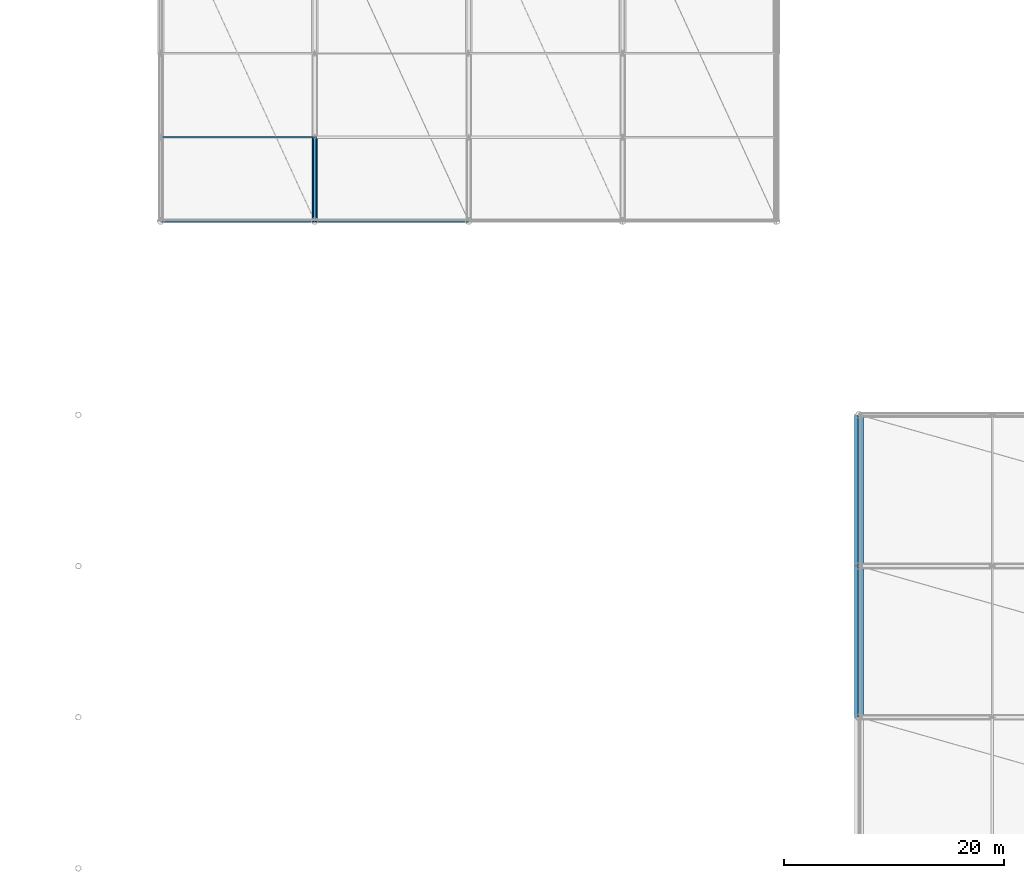
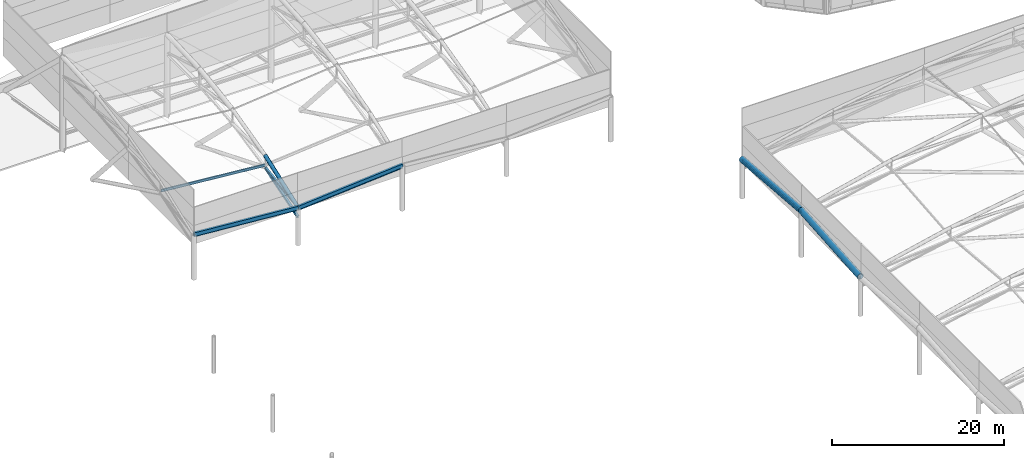
# One storey, part 25 of 113: 8 members, 4 beams.
"""IFC4 building model written with IfcOpenShell, lengths in metres."""

from ifc_helpers import new_model, si_unit, direction, frame, origin, origin_2d, place, context, subcontext, project, spatial, hollow_rectangle, hollow_circle, i_section, extrude, material, material_profile, profile_set, type_object, element, save


model = new_model("IFC4")

# Units and contexts
model_context = context("Model", 3, precision=1e-05, world=origin(), true_north=direction((0.0, 1.0)))
body_context = subcontext(model_context, "Body", "Model", "MODEL_VIEW")
ifc_project = project(units=[si_unit("LENGTHUNIT", "METRE"), si_unit("AREAUNIT", "SQUARE_METRE"), si_unit("VOLUMEUNIT", "CUBIC_METRE"), si_unit("PLANEANGLEUNIT", "RADIAN"), si_unit("MASSUNIT", "GRAM", prefix="KILO")], contexts=[model_context])

# Site, building, storey
site_placement = place(None, origin())
site = spatial("IfcSite", under=ifc_project, at=site_placement, CompositionType="ELEMENT")
building_placement = place(site_placement, origin())
building = spatial("IfcBuilding", under=site, at=building_placement, Name="Linyun Crest Stadium", CompositionType="ELEMENT")
storey_placement = place(building_placement, frame((0.0, 0.0, 26.39990234375)))
storey = spatial("IfcBuildingStorey", under=building, at=storey_placement, Name="L06", CompositionType="ELEMENT", Elevation=26.39990234375)

# Beams
ifc_material_1 = material(Name="Steel Q420C", Category="steel")
ifc_material_profile_1 = material_profile(ifc_material_1, hollow_circle(Radius=0.406494140625, WallThickness=0.035888671875, at=origin_2d()), Name="CHS 813x36")
ifc_profile_set_1 = profile_set([ifc_material_profile_1], Name="Steel Q420C")
beam_type_1 = type_object("IfcBeamType", Name="HB01", PredefinedType="USERDEFINED", material=ifc_profile_set_1)
for number, where, z_axis, x_axis, name in (
    (1, (35.5, 15.875, 5.447998046875), (0.0, 0.996786513506, 0.080103973014), (-1.0, 0.0, 0.0), "Roof Inner tension ring beam HB01 V2 25"),
    (2, (35.5, 29.625, 6.552978515625), (0.0, 0.996786513506, -0.080103973014), (-1.0, 0.0, 0.0), "Roof Inner tension ring beam HB01 V2 27"),
):
    element("IfcBeam", number, at=place(storey_placement, frame(where, z_axis=z_axis, x_axis=x_axis)), inside=storey, type_object=beam_type_1, Name=name, ObjectType="RING BEAM", PredefinedType="USERDEFINED", context=body_context, shape_type="SweptSolid", body=[
        extrude(hollow_circle(Radius=0.406494140625, WallThickness=0.035888671875, at=origin_2d()), origin(), (0.0, 0.0, 1.0), 13.79443359375),
    ])
ifc_material_2 = material(Name="Steel Q420C", Category="steel")
ifc_material_profile_2 = material_profile(ifc_material_2, hollow_rectangle(XDim=0.300048828125, YDim=0.5, WallThickness=0.02001953125, at=origin_2d()), Name="RHS 500x300x20")
ifc_profile_set_2 = profile_set([ifc_material_profile_2], Name="Steel Q420C")
beam_type_2 = type_object("IfcBeamType", Name="HB03", PredefinedType="USERDEFINED", material=ifc_profile_set_2)
for number, where, z_axis, x_axis, name in (
    (3, (-28.0, 61.0, 6.35302734375), (0.996899727779, 0.0, -0.078682480607), (0.0, 1.0, 0.0), "Roof Inner tension ring beam HB03 V3 29"),
    (4, (-14.0, 61.0, 5.248046875), (0.996899727779, 0.0, 0.078682480607), (0.0, 1.0, 0.0), "Roof Inner tension ring beam HB03 V3 31"),
):
    element("IfcBeam", number, at=place(storey_placement, frame(where, z_axis=z_axis, x_axis=x_axis)), inside=storey, type_object=beam_type_2, Name=name, ObjectType="RING BEAM", PredefinedType="USERDEFINED", context=body_context, shape_type="SweptSolid", body=[
        extrude(hollow_rectangle(XDim=0.300048828125, YDim=0.5, WallThickness=0.02001953125, at=origin_2d()), origin(), (0.0, 0.0, 1.0), 14.04345703125),
    ])

# Members
ifc_material_3 = material(Name="Steel Q355B", Category="steel")
ifc_material_profile_3 = material_profile(ifc_material_3, i_section(OverallWidth=0.175048828125, OverallDepth=0.35009765625, WebThickness=0.007080078125, FlangeThickness=0.010986328125, at=origin_2d()), Name="HN 350x175")
ifc_profile_set_3 = profile_set([ifc_material_profile_3], Name="Steel Q355B")
member_type_1 = type_object("IfcMemberType", Name="PR02", PredefinedType="PURLIN", material=ifc_profile_set_3)
member_1_placement = place(storey_placement, frame((35.5, 15.875, 5.31298828125), z_axis=(0.0, 0.996785100179, 0.080121558035), x_axis=(-1.0, 0.0, 0.0)))
element("IfcMember", 5, at=member_1_placement, inside=storey, type_object=member_type_1, Name="Roof canopy purlin PR02 V2 355", PredefinedType="PURLIN", context=body_context, shape_type="SweptSolid", body=[
    extrude(i_section(OverallWidth=0.175048828125, OverallDepth=0.35009765625, WebThickness=0.007080078125, FlangeThickness=0.010986328125, at=origin_2d()), origin(), (0.0, 0.0, 1.0), 13.79443359375),
])
member_2_placement = place(storey_placement, frame((-28.0, 68.625, 7.89208984375), z_axis=(0.99601922118, 0.0, -0.089138717967), x_axis=(0.0, 1.0, 0.0)))
element("IfcMember", 6, at=member_2_placement, inside=storey, type_object=member_type_1, Name="Roof canopy purlin PR02 V3 457", PredefinedType="PURLIN", context=body_context, shape_type="SweptSolid", body=[
    extrude(i_section(OverallWidth=0.175048828125, OverallDepth=0.35009765625, WebThickness=0.007080078125, FlangeThickness=0.010986328125, at=origin_2d()), origin(), (0.0, 0.0, 1.0), 14.055908203125),
])
ifc_material_4 = material(Name="Steel Q355B", Category="steel")
ifc_material_profile_4 = material_profile(ifc_material_4, i_section(OverallWidth=0.199951171875, OverallDepth=0.39990234375, WebThickness=0.008056640625, FlangeThickness=0.012939453125, at=origin_2d()), Name="HN 400x200")
ifc_profile_set_4 = profile_set([ifc_material_profile_4], Name="Steel Q355B")
member_type_2 = type_object("IfcMemberType", Name="PR03", PredefinedType="PURLIN", material=ifc_profile_set_4)
member_3_placement = place(storey_placement, frame((35.5, 29.625, 6.39306640625), z_axis=(0.0, 0.996786513506, -0.080103973014), x_axis=(-1.0, 0.0, 0.0)))
element("IfcMember", 7, at=member_3_placement, inside=storey, type_object=member_type_2, Name="Roof canopy purlin PR03 V2 359", PredefinedType="PURLIN", context=body_context, shape_type="SweptSolid", body=[
    extrude(i_section(OverallWidth=0.199951171875, OverallDepth=0.39990234375, WebThickness=0.008056640625, FlangeThickness=0.012939453125, at=origin_2d()), origin(), (0.0, 0.0, 1.0), 13.79443359375),
])
member_4_placement = place(storey_placement, frame((-28.0, 61.0, 6.193115234375), z_axis=(0.996899727779, 0.0, -0.078682480607), x_axis=(0.0, 1.0, 0.0)))
element("IfcMember", 8, at=member_4_placement, inside=storey, type_object=member_type_2, Name="Roof canopy purlin PR03 V3 458", PredefinedType="PURLIN", context=body_context, shape_type="SweptSolid", body=[
    extrude(i_section(OverallWidth=0.199951171875, OverallDepth=0.39990234375, WebThickness=0.008056640625, FlangeThickness=0.012939453125, at=origin_2d()), origin(), (0.0, 0.0, 1.0), 14.04345703125),
])
ifc_material_5 = material(Name="Steel Q355B", Category="steel")
ifc_material_profile_5 = material_profile(ifc_material_5, i_section(OverallWidth=0.199951171875, OverallDepth=0.449951171875, WebThickness=0.009033203125, FlangeThickness=0.013916015625, at=origin_2d()), Name="HN 450x200")
ifc_profile_set_5 = profile_set([ifc_material_profile_5], Name="Steel Q355B")
member_type_3 = type_object("IfcMemberType", Name="PR04", PredefinedType="PURLIN", material=ifc_profile_set_5)
member_5_placement = place(storey_placement, frame((-14.0, 61.0, 5.06298828125), z_axis=(0.996898364012, 0.0, 0.078699757497), x_axis=(0.0, 1.0, 0.0)))
element("IfcMember", 9, at=member_5_placement, inside=storey, type_object=member_type_3, Name="Roof canopy purlin PR04 V3 462", PredefinedType="PURLIN", context=body_context, shape_type="SweptSolid", body=[
    extrude(i_section(OverallWidth=0.199951171875, OverallDepth=0.449951171875, WebThickness=0.009033203125, FlangeThickness=0.013916015625, at=origin_2d()), origin(), (0.0, 0.0, 1.0), 14.04345703125),
])
ifc_material_6 = material(Name="Steel Q420C", Category="steel")
ifc_material_profile_6 = material_profile(ifc_material_6, hollow_circle(Radius=0.25390625, WallThickness=0.02490234375, at=origin_2d()), Name="CHS 508x25")
ifc_profile_set_6 = profile_set([ifc_material_profile_6], Name="Steel Q420C")
member_type_4 = type_object("IfcMemberType", Name="TC01", PredefinedType="CHORD", material=ifc_profile_set_6)
member_6_placement = place(storey_placement, frame((-14.0, 68.625, 7.97412109375), z_axis=(0.0, -0.941629992485, -0.336649606048), x_axis=(1.0, 0.0, 0.0)))
element("IfcMember", 10, at=member_6_placement, inside=storey, type_object=member_type_4, Name="Roof truss top chord TC01 V3 393", PredefinedType="CHORD", context=body_context, shape_type="SweptSolid", body=[
    extrude(hollow_circle(Radius=0.25390625, WallThickness=0.02490234375, at=origin_2d()), origin(), (0.0, 0.0, 1.0), 8.09765625),
])
ifc_material_7 = material(Name="Steel Q355C", Category="steel")
ifc_material_profile_7 = material_profile(ifc_material_7, i_section(OverallWidth=0.300048828125, OverallDepth=0.300048828125, WebThickness=0.010009765625, FlangeThickness=0.014892578125, at=origin_2d()), Name="HW 300x300")
ifc_profile_set_7 = profile_set([ifc_material_profile_7], Name="Steel Q355C")
member_type_5 = type_object("IfcMemberType", Name="TC03", PredefinedType="CHORD", material=ifc_profile_set_7)
member_7_placement = place(storey_placement, frame((-14.0, 68.625, 6.31005859375), z_axis=(0.0, -0.953360965529, -0.3018325188), x_axis=(1.0, 0.0, 0.0)))
element("IfcMember", 11, at=member_7_placement, inside=storey, type_object=member_type_5, Name="Roof truss bottom chord TC03 V3 394", PredefinedType="CHORD", context=body_context, shape_type="SweptSolid", body=[
    extrude(i_section(OverallWidth=0.300048828125, OverallDepth=0.300048828125, WebThickness=0.010009765625, FlangeThickness=0.014892578125, at=origin_2d()), origin(), (0.0, 0.0, 1.0), 7.998046875),
])
ifc_material_8 = material(Name="Steel Q355C", Category="steel")
ifc_material_profile_8 = material_profile(ifc_material_8, i_section(OverallWidth=0.25, OverallDepth=0.25, WebThickness=0.009033203125, FlangeThickness=0.013916015625, at=origin_2d()), Name="HW 250x250")
ifc_profile_set_8 = profile_set([ifc_material_profile_8], Name="Steel Q355C")
member_type_6 = type_object("IfcMemberType", Name="TD04", PredefinedType="BRACE", material=ifc_profile_set_8)
member_8_placement = place(storey_placement, frame((-14.0, 68.625, 6.31005859375), z_axis=(0.0, -0.990439386318, -0.137948620981), x_axis=(1.0, 0.0, 0.0)))
element("IfcMember", 12, at=member_8_placement, inside=storey, type_object=member_type_6, Name="Roof truss diagonal TD04 V3 395", PredefinedType="BRACE", context=body_context, shape_type="SweptSolid", body=[
    extrude(i_section(OverallWidth=0.25, OverallDepth=0.25, WebThickness=0.009033203125, FlangeThickness=0.013916015625, at=origin_2d()), origin(), (0.0, 0.0, 1.0), 7.698486328125),
])

save(model, "model.ifc")
